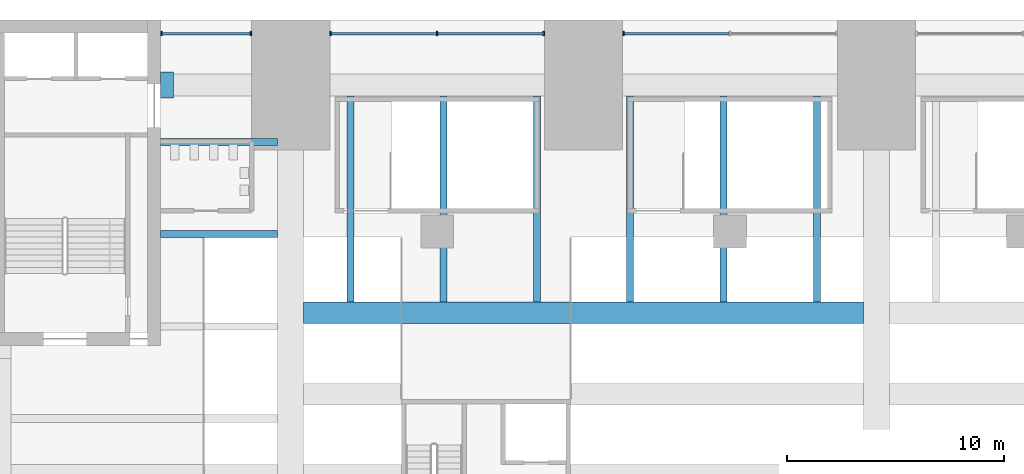
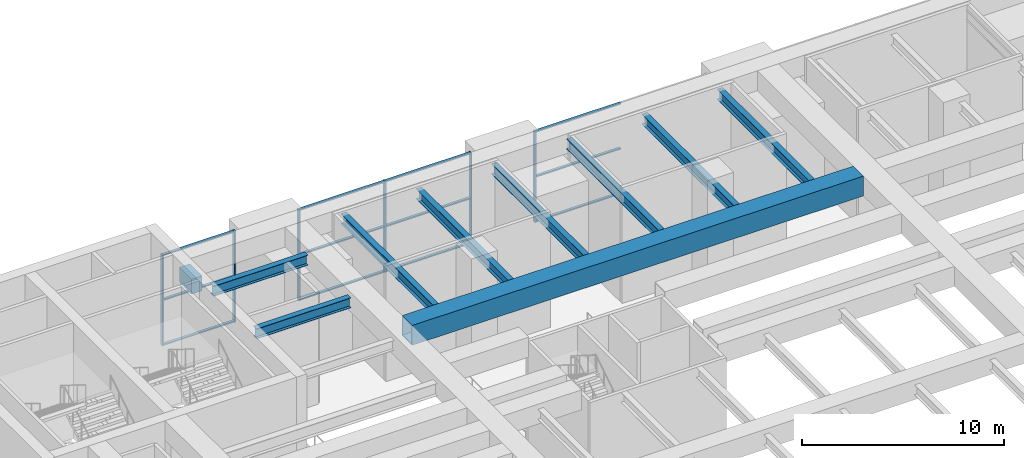
# One storey, part 19 of 45: 20 members, 8 beams, 3 elements without a shape of their own.
"""IFC4 building model written with IfcOpenShell, lengths in metres."""

import ifcopenshell
import ifcopenshell.guid

model = None  # the IFC model being written
_history = None  # IfcOwnerHistory: only IFC2X3 demands one
_inside = {}  # id of a spatial element -> (the spatial element, [elements in it])
_under = {}  # id of a project, library or spatial element -> (it, [spatial elements below it])
_declared = {}  # id of a project -> (the project, [libraries it declares])
_typed = {}  # id of a type object -> (the type object, [elements of that type])
_made_of = {}  # id of a material, layer set ... -> (it, [elements and type objects made of it])


def new_model(schema):
    """Start an empty IFC model of exactly this schema.

    Asked for "IFC4X3", IfcOpenShell would pick the latest addendum, in which some entities
    have other attributes; the version numbers below select the first issue.
    IFC2X3 requires an IfcOwnerHistory on every rooted entity: one is made here for all.
    """
    global model, _history
    if schema == "IFC4X3":
        model = ifcopenshell.file(schema_version=(4, 3, 0, 0))
    else:
        model = ifcopenshell.file(schema=schema)
    _inside.clear()
    _under.clear()
    _declared.clear()
    _typed.clear()
    _made_of.clear()
    _history = None
    if model.schema == "IFC2X3":
        org = make("IfcOrganization", Name="unknown")
        user = make(
            "IfcPersonAndOrganization",
            ThePerson=make("IfcPerson", FamilyName="unknown"),
            TheOrganization=org,
        )
        app = make(
            "IfcApplication",
            ApplicationDeveloper=org,
            Version="unknown",
            ApplicationFullName="unknown",
            ApplicationIdentifier="unknown",
        )
        _history = make(
            "IfcOwnerHistory",
            OwningUser=user,
            OwningApplication=app,
            ChangeAction="ADDED",
            CreationDate=0,
        )
    return model


def make(cls, **values):
    """One entity of the class cls with the attributes given. An attribute that is None is left unset."""
    return model.create_entity(
        cls, **{name: value for name, value in values.items() if value is not None}
    )


def rooted(cls, **values):
    """An entity with a GlobalId (a new one), such as an element, a storey or a relation."""
    return make(cls, GlobalId=ifcopenshell.guid.new(), OwnerHistory=_history, **values)


def si_unit(unit_type, name, prefix=None):
    """IfcSIUnit, for example si_unit("LENGTHUNIT", "METRE", prefix="MILLI")."""
    return make("IfcSIUnit", UnitType=unit_type, Prefix=prefix, Name=name)


def assignment(units):
    """IfcUnitAssignment: the units of a project."""
    return None if units is None else make("IfcUnitAssignment", Units=units)


def point(xyz):
    """IfcCartesianPoint."""
    return None if xyz is None else make("IfcCartesianPoint", Coordinates=xyz)


def direction(xyz):
    """IfcDirection."""
    return None if xyz is None else make("IfcDirection", DirectionRatios=xyz)


def frame(location, z_axis=None, x_axis=None):
    """IfcAxis2Placement3D, a coordinate frame: its origin and axes. An axis left out is left unset."""
    return make(
        "IfcAxis2Placement3D",
        Location=point(location),
        Axis=direction(z_axis),
        RefDirection=direction(x_axis),
    )


def frame_2d(location, x_axis=None):
    """IfcAxis2Placement2D, a coordinate frame in the plane: its origin and x axis."""
    return make(
        "IfcAxis2Placement2D", Location=point(location), RefDirection=direction(x_axis)
    )


def origin():
    """The frame at (0, 0, 0) with its axes left unset."""
    return frame((0.0, 0.0, 0.0))


def origin_2d():
    """The frame at (0, 0) in the plane with its x axis left unset."""
    return frame_2d((0.0, 0.0))


def place(relative_to, where):
    """IfcLocalPlacement: puts the frame where relative to a parent placement (None: the world)."""
    return make(
        "IfcLocalPlacement", PlacementRelTo=relative_to, RelativePlacement=where
    )


def context(
    kind, dimensions, precision=None, world=None, true_north=None, identifier=None
):
    """IfcGeometricRepresentationContext, for example the 3D "Model" context."""
    return make(
        "IfcGeometricRepresentationContext",
        ContextIdentifier=identifier,
        ContextType=kind,
        CoordinateSpaceDimension=dimensions,
        Precision=precision,
        WorldCoordinateSystem=world,
        TrueNorth=true_north,
    )


def subcontext(parent, identifier, kind, view, scale=None):
    """IfcGeometricRepresentationSubContext, for example "Body" below "Model"."""
    return make(
        "IfcGeometricRepresentationSubContext",
        ContextIdentifier=identifier,
        ContextType=kind,
        ParentContext=parent,
        TargetScale=scale,
        TargetView=view,
    )


def project(units=None, contexts=None):
    """IfcProject with its units and contexts."""
    return rooted(
        "IfcProject",
        Name="project",
        RepresentationContexts=contexts,
        UnitsInContext=assignment(units),
    )


def spatial(cls, under=None, at=None, **own):
    """A site, building, storey or space (cls), placed at a placement, below another one or the project."""
    s = rooted(cls, ObjectPlacement=at, **own)
    if under is not None:
        _under.setdefault(under.id(), (under, []))[1].append(s)
    return s


def profile(cls, at=None, kind="AREA", **sizes):
    """A parametric profile (cls). Its sizes go by their IFC names, for example OverallWidth=200.0."""
    return make(cls, ProfileType=kind, Position=at, **sizes)


def rectangle(**sizes):
    """IfcRectangleProfileDef."""
    return profile("IfcRectangleProfileDef", **sizes)


def hollow_rectangle(**sizes):
    """IfcRectangleHollowProfileDef."""
    return profile("IfcRectangleHollowProfileDef", **sizes)


def i_section(**sizes):
    """IfcIShapeProfileDef."""
    return profile("IfcIShapeProfileDef", **sizes)


def extrude(swept, where, along, depth):
    """IfcExtrudedAreaSolid: the profile swept, set in the frame where, extruded along a direction by depth."""
    return make(
        "IfcExtrudedAreaSolid",
        SweptArea=swept,
        Position=where,
        ExtrudedDirection=direction(along),
        Depth=depth,
    )


def shape(context_of_items, identifier, shape_type, items):
    """IfcShapeRepresentation: the items that make up one representation, for example the "Body"."""
    return make(
        "IfcShapeRepresentation",
        ContextOfItems=context_of_items,
        RepresentationIdentifier=identifier,
        RepresentationType=shape_type,
        Items=items,
    )


def material(Name=None, Category=None):
    """IfcMaterial."""
    return make("IfcMaterial", Name=Name, Category=Category)


def layer(
    of_material, thickness, ventilated=None, Name=None, Category=None, Priority=None
):
    """IfcMaterialLayer: one layer of a wall or slab, of a material (None: an air gap)."""
    return make(
        "IfcMaterialLayer",
        Material=of_material,
        LayerThickness=thickness,
        IsVentilated=ventilated,
        Name=Name,
        Category=Category,
        Priority=Priority,
    )


def layer_set(layers, Name=None):
    """IfcMaterialLayerSet."""
    return make("IfcMaterialLayerSet", MaterialLayers=layers, LayerSetName=Name)


def material_profile(
    of_material, cross_section, Name=None, Category=None, Priority=None
):
    """IfcMaterialProfile: a cross section and its material."""
    return make(
        "IfcMaterialProfile",
        Name=Name,
        Material=of_material,
        Profile=cross_section,
        Priority=Priority,
        Category=Category,
    )


def profile_set(profiles, Name=None, composite=None):
    """IfcMaterialProfileSet."""
    return make(
        "IfcMaterialProfileSet",
        Name=Name,
        MaterialProfiles=profiles,
        CompositeProfile=composite,
    )


def made_of(thing, what):
    """Note that an element or type object is made of a material, layer set ...; save() writes the relation."""
    if what is not None:
        _made_of.setdefault(what.id(), (what, []))[1].append(thing)
    return thing


def type_object(cls, material=None, **own):
    """A type object (cls), such as IfcWallType, which elements share."""
    return made_of(rooted(cls, **own), material)


def element(
    cls,
    number,
    at=None,
    inside=None,
    cuts=None,
    type_object=None,
    material=None,
    context=None,
    identifier="Body",
    shape_type=None,
    held_by="IfcProductDefinitionShape",
    body=None,
    shapes=None,
    **own,
):
    """One element of the class cls, such as IfcWall. Its Tag is "e" and its number.

    at: its placement. inside: the storey or other place that contains it. cuts: it is an
    opening in that element (IfcRelVoidsElement). A single representation is given by context,
    identifier, shape_type and body (its items); several are given by shapes. held_by: the class
    of the entity that holds the representations. save() writes the other relations.
    """
    e = rooted(cls, Tag="e%d" % number, ObjectPlacement=at, **own)
    if body is not None:
        shapes = [shape(context, identifier, shape_type, body)]
    if shapes is not None:
        e.Representation = make(held_by, Representations=shapes)
    if inside is not None:
        _inside.setdefault(inside.id(), (inside, []))[1].append(e)
    if cuts is not None:
        rooted(
            "IfcRelVoidsElement", RelatingBuildingElement=cuts, RelatedOpeningElement=e
        )
    if type_object is not None:
        _typed.setdefault(type_object.id(), (type_object, []))[1].append(e)
    return made_of(e, material)


def aggregate(whole, parts):
    """IfcRelAggregates: a whole, such as a stair, and the parts it consists of."""
    return rooted("IfcRelAggregates", RelatingObject=whole, RelatedObjects=parts)


def save(model, path):
    """Write the relations noted so far, then the file.

    IfcRelAggregates (storeys below a building ...), IfcRelContainedInSpatialStructure (elements
    in a storey), IfcRelDefinesByType, IfcRelAssociatesMaterial and IfcRelDeclares: one each for
    every whole, place, type object, material and project.
    """
    for whole, parts in _under.values():
        aggregate(whole, parts)
    for where, things in _inside.values():
        rooted(
            "IfcRelContainedInSpatialStructure",
            RelatedElements=things,
            RelatingStructure=where,
        )
    for kind, things in _typed.values():
        rooted("IfcRelDefinesByType", RelatedObjects=things, RelatingType=kind)
    for what, things in _made_of.values():
        rooted("IfcRelAssociatesMaterial", RelatedObjects=things, RelatingMaterial=what)
    for by, libraries in _declared.values():
        rooted("IfcRelDeclares", RelatingContext=by, RelatedDefinitions=libraries)
    model.write(path)


model = new_model("IFC4")

# Units and contexts
model_context = context("Model", 3, precision=1e-05, world=origin(), true_north=direction((0.0, 1.0)))
body_context = subcontext(model_context, "Body", "Model", "MODEL_VIEW")
ifc_project = project(units=[si_unit("LENGTHUNIT", "METRE"), si_unit("AREAUNIT", "SQUARE_METRE"), si_unit("VOLUMEUNIT", "CUBIC_METRE"), si_unit("PLANEANGLEUNIT", "RADIAN"), si_unit("MASSUNIT", "GRAM", prefix="KILO")], contexts=[model_context])

# Site, building, storey
site_placement = place(None, origin())
site = spatial("IfcSite", under=ifc_project, at=site_placement, CompositionType="ELEMENT")
building_placement = place(site_placement, origin())
building = spatial("IfcBuilding", under=site, at=building_placement, Name="Corbelhall Arena Tower", CompositionType="ELEMENT")
storey_placement = place(building_placement, frame((0.0, 0.0, 37.0)))
storey = spatial("IfcBuildingStorey", under=building, at=storey_placement, Name="L05", CompositionType="ELEMENT", Elevation=37.0)

# Curtain wall, member
ifc_material_1 = material(Name="Aluminium black anodised", Category="aluminium")
ifc_layer = layer(ifc_material_1, 0.239990234375)
ifc_layer_set = layer_set([ifc_layer], Name="EV-CW4 Arena concourse glazing")
curtain_wall_type = type_object("IfcCurtainWallType", Name="EV-CW4 Arena concourse glazing", PredefinedType="NOTDEFINED", material=ifc_layer_set)
curtain_wall_1_placement = place(storey_placement, origin())
curtain_wall_1 = element("IfcCurtainWall", 1, at=curtain_wall_1_placement, inside=storey, type_object=curtain_wall_type, Name="Curtain wall CW4", PredefinedType="NOTDEFINED")
ifc_material_profile_1 = material_profile(ifc_material_1, rectangle(XDim=0.199951171875, YDim=0.074951171875, at=origin_2d()))
ifc_profile_set_1 = profile_set([ifc_material_profile_1], Name="Aluminium black anodised")
member_type_1 = type_object("IfcMemberType", Name="EV-CW4-MULLION", PredefinedType="MULLION", material=ifc_profile_set_1)
member_1_placement = place(storey_placement, frame((-11.66259765625, 38.3798828125, 0.0), z_axis=(0.0, 0.0, 1.0), x_axis=(0.0, -1.0, 0.0)))
member_1 = element("IfcMember", 2, at=member_1_placement, type_object=member_type_1, Name="CW4 mullion 3", PredefinedType="MULLION", context=body_context, shape_type="SweptSolid", body=[
    extrude(rectangle(XDim=0.199951171875, YDim=0.074951171875, at=origin_2d()), origin(), (0.0, 0.0, 1.0), 5.5),
])

# Curtain wall, members
curtain_wall_2_placement = place(storey_placement, origin())
curtain_wall_2 = element("IfcCurtainWall", 3, at=curtain_wall_2_placement, inside=storey, type_object=curtain_wall_type, Name="Curtain wall CW4", PredefinedType="NOTDEFINED")
member_2_placement = place(storey_placement, frame((-15.33740234375, 38.3798828125, 0.0), z_axis=(0.0, 0.0, 1.0), x_axis=(0.0, -1.0, 0.0)))
member_2 = element("IfcMember", 4, at=member_2_placement, type_object=member_type_1, Name="CW4 mullion 1", PredefinedType="MULLION", context=body_context, shape_type="SweptSolid", body=[
    extrude(rectangle(XDim=0.199951171875, YDim=0.074951171875, at=origin_2d()), origin(), (0.0, 0.0, 1.0), 5.5),
])
member_3_placement = place(storey_placement, frame((-20.25, 38.3798828125, 0.0), z_axis=(0.0, 0.0, 1.0), x_axis=(0.0, -1.0, 0.0)))
member_3 = element("IfcMember", 5, at=member_3_placement, type_object=member_type_1, Name="CW4 mullion 2", PredefinedType="MULLION", context=body_context, shape_type="SweptSolid", body=[
    extrude(rectangle(XDim=0.199951171875, YDim=0.074951171875, at=origin_2d()), origin(), (0.0, 0.0, 1.0), 5.5),
])
member_4_placement = place(storey_placement, frame((-25.16259765625, 38.3798828125, 0.0), z_axis=(0.0, 0.0, 1.0), x_axis=(0.0, -1.0, 0.0)))
member_4 = element("IfcMember", 6, at=member_4_placement, type_object=member_type_1, Name="CW4 mullion 3", PredefinedType="MULLION", context=body_context, shape_type="SweptSolid", body=[
    extrude(rectangle(XDim=0.199951171875, YDim=0.074951171875, at=origin_2d()), origin(), (0.0, 0.0, 1.0), 5.5),
])

curtain_wall_3_placement = place(storey_placement, origin())
curtain_wall_3 = element("IfcCurtainWall", 7, at=curtain_wall_3_placement, inside=storey, type_object=curtain_wall_type, Name="Curtain wall CW4A", PredefinedType="NOTDEFINED")
member_5_placement = place(storey_placement, frame((-28.83740234375, 38.3798828125, 0.0), z_axis=(0.0, 0.0, 1.0), x_axis=(0.0, -1.0, 0.0)))
member_5 = element("IfcMember", 8, at=member_5_placement, type_object=member_type_1, Name="CW4A mullion 1", PredefinedType="MULLION", context=body_context, shape_type="SweptSolid", body=[
    extrude(rectangle(XDim=0.199951171875, YDim=0.074951171875, at=origin_2d()), origin(), (0.0, 0.0, 1.0), 5.5),
])
member_6_placement = place(storey_placement, frame((-32.96240234375, 38.3798828125, 0.0), z_axis=(0.0, 0.0, 1.0), x_axis=(0.0, -1.0, 0.0)))
member_6 = element("IfcMember", 9, at=member_6_placement, type_object=member_type_1, Name="CW4A mullion 2", PredefinedType="MULLION", context=body_context, shape_type="SweptSolid", body=[
    extrude(rectangle(XDim=0.199951171875, YDim=0.074951171875, at=origin_2d()), origin(), (0.0, 0.0, 1.0), 5.5),
])

# Member
ifc_material_profile_2 = material_profile(ifc_material_1, rectangle(XDim=0.14990234375, YDim=0.074951171875, at=origin_2d()))
ifc_profile_set_2 = profile_set([ifc_material_profile_2], Name="Aluminium black anodised")
member_type_2 = type_object("IfcMemberType", Name="EV-CW4-TRANSOM", PredefinedType="USERDEFINED", material=ifc_profile_set_2)
member_7_placement = place(storey_placement, frame((-6.78759765625, 38.3798828125, 0.03759765625), z_axis=(-1.0, 0.0, 0.0), x_axis=(0.0, -1.0, 0.0)))
member_7 = element("IfcMember", 10, at=member_7_placement, type_object=member_type_2, Name="CW4 transom 2.1", ObjectType="transom", PredefinedType="USERDEFINED", context=body_context, shape_type="SweptSolid", body=[
    extrude(rectangle(XDim=0.14990234375, YDim=0.074951171875, at=origin_2d()), origin(), (0.0, 0.0, 1.0), 4.83740234375),
])

member_8_placement = place(storey_placement, frame((-6.78759765625, 38.3798828125, 2.75), z_axis=(-1.0, 0.0, 0.0), x_axis=(0.0, -1.0, 0.0)))
member_8 = element("IfcMember", 11, at=member_8_placement, type_object=member_type_2, Name="CW4 transom 2.2", ObjectType="transom", PredefinedType="USERDEFINED", context=body_context, shape_type="SweptSolid", body=[
    extrude(rectangle(XDim=0.14990234375, YDim=0.074951171875, at=origin_2d()), origin(), (0.0, 0.0, 1.0), 4.83740234375),
])

member_9_placement = place(storey_placement, frame((-6.78759765625, 38.3798828125, 5.46240234375), z_axis=(-1.0, 0.0, 0.0), x_axis=(0.0, -1.0, 0.0)))
member_9 = element("IfcMember", 12, at=member_9_placement, type_object=member_type_2, Name="CW4 transom 2.3", ObjectType="transom", PredefinedType="USERDEFINED", context=body_context, shape_type="SweptSolid", body=[
    extrude(rectangle(XDim=0.14990234375, YDim=0.074951171875, at=origin_2d()), origin(), (0.0, 0.0, 1.0), 4.83740234375),
])

aggregate(curtain_wall_1, [member_1, member_7, member_8, member_9])

member_10_placement = place(storey_placement, frame((-15.375, 38.3798828125, 0.03759765625), z_axis=(-1.0, 0.0, 0.0), x_axis=(0.0, -1.0, 0.0)))
member_10 = element("IfcMember", 13, at=member_10_placement, type_object=member_type_2, Name="CW4 transom 1.1", ObjectType="transom", PredefinedType="USERDEFINED", context=body_context, shape_type="SweptSolid", body=[
    extrude(rectangle(XDim=0.14990234375, YDim=0.074951171875, at=origin_2d()), origin(), (0.0, 0.0, 1.0), 4.83740234375),
])

member_11_placement = place(storey_placement, frame((-15.375, 38.3798828125, 2.75), z_axis=(-1.0, 0.0, 0.0), x_axis=(0.0, -1.0, 0.0)))
member_11 = element("IfcMember", 14, at=member_11_placement, type_object=member_type_2, Name="CW4 transom 1.2", ObjectType="transom", PredefinedType="USERDEFINED", context=body_context, shape_type="SweptSolid", body=[
    extrude(rectangle(XDim=0.14990234375, YDim=0.074951171875, at=origin_2d()), origin(), (0.0, 0.0, 1.0), 4.83740234375),
])

member_12_placement = place(storey_placement, frame((-15.375, 38.3798828125, 5.46240234375), z_axis=(-1.0, 0.0, 0.0), x_axis=(0.0, -1.0, 0.0)))
member_12 = element("IfcMember", 15, at=member_12_placement, type_object=member_type_2, Name="CW4 transom 1.3", ObjectType="transom", PredefinedType="USERDEFINED", context=body_context, shape_type="SweptSolid", body=[
    extrude(rectangle(XDim=0.14990234375, YDim=0.074951171875, at=origin_2d()), origin(), (0.0, 0.0, 1.0), 4.83740234375),
])

member_13_placement = place(storey_placement, frame((-20.28759765625, 38.3798828125, 0.03759765625), z_axis=(-1.0, 0.0, 0.0), x_axis=(0.0, -1.0, 0.0)))
member_13 = element("IfcMember", 16, at=member_13_placement, type_object=member_type_2, Name="CW4 transom 2.1", ObjectType="transom", PredefinedType="USERDEFINED", context=body_context, shape_type="SweptSolid", body=[
    extrude(rectangle(XDim=0.14990234375, YDim=0.074951171875, at=origin_2d()), origin(), (0.0, 0.0, 1.0), 4.83740234375),
])

member_14_placement = place(storey_placement, frame((-20.28759765625, 38.3798828125, 2.75), z_axis=(-1.0, 0.0, 0.0), x_axis=(0.0, -1.0, 0.0)))
member_14 = element("IfcMember", 17, at=member_14_placement, type_object=member_type_2, Name="CW4 transom 2.2", ObjectType="transom", PredefinedType="USERDEFINED", context=body_context, shape_type="SweptSolid", body=[
    extrude(rectangle(XDim=0.14990234375, YDim=0.074951171875, at=origin_2d()), origin(), (0.0, 0.0, 1.0), 4.83740234375),
])

member_15_placement = place(storey_placement, frame((-20.28759765625, 38.3798828125, 5.46240234375), z_axis=(-1.0, 0.0, 0.0), x_axis=(0.0, -1.0, 0.0)))
member_15 = element("IfcMember", 18, at=member_15_placement, type_object=member_type_2, Name="CW4 transom 2.3", ObjectType="transom", PredefinedType="USERDEFINED", context=body_context, shape_type="SweptSolid", body=[
    extrude(rectangle(XDim=0.14990234375, YDim=0.074951171875, at=origin_2d()), origin(), (0.0, 0.0, 1.0), 4.83740234375),
])

aggregate(curtain_wall_2, [member_2, member_3, member_4, member_10, member_11, member_12, member_13, member_14, member_15])

member_16_placement = place(storey_placement, frame((-28.875, 38.3798828125, 0.03759765625), z_axis=(-1.0, 0.0, 0.0), x_axis=(0.0, -1.0, 0.0)))
member_16 = element("IfcMember", 19, at=member_16_placement, type_object=member_type_2, Name="CW4A transom 1.1", ObjectType="transom", PredefinedType="USERDEFINED", context=body_context, shape_type="SweptSolid", body=[
    extrude(rectangle(XDim=0.14990234375, YDim=0.074951171875, at=origin_2d()), origin(), (0.0, 0.0, 1.0), 4.050048828125),
])

member_17_placement = place(storey_placement, frame((-28.875, 38.3798828125, 2.75), z_axis=(-1.0, 0.0, 0.0), x_axis=(0.0, -1.0, 0.0)))
member_17 = element("IfcMember", 20, at=member_17_placement, type_object=member_type_2, Name="CW4A transom 1.2", ObjectType="transom", PredefinedType="USERDEFINED", context=body_context, shape_type="SweptSolid", body=[
    extrude(rectangle(XDim=0.14990234375, YDim=0.074951171875, at=origin_2d()), origin(), (0.0, 0.0, 1.0), 4.050048828125),
])

member_18_placement = place(storey_placement, frame((-28.875, 38.3798828125, 5.46240234375), z_axis=(-1.0, 0.0, 0.0), x_axis=(0.0, -1.0, 0.0)))
member_18 = element("IfcMember", 21, at=member_18_placement, type_object=member_type_2, Name="CW4A transom 1.3", ObjectType="transom", PredefinedType="USERDEFINED", context=body_context, shape_type="SweptSolid", body=[
    extrude(rectangle(XDim=0.14990234375, YDim=0.074951171875, at=origin_2d()), origin(), (0.0, 0.0, 1.0), 4.050048828125),
])

aggregate(curtain_wall_3, [member_5, member_6, member_16, member_17, member_18])

# Beams
ifc_material_2 = material(Name="Steel ASTM A992 Gr50", Category="steel")
ifc_material_profile_3 = material_profile(ifc_material_2, i_section(OverallWidth=0.323974609375, OverallDepth=0.611083984375, WebThickness=0.0126953125, FlangeThickness=0.01904296875, at=origin_2d()))
ifc_profile_set_3 = profile_set([ifc_material_profile_3], Name="Steel ASTM A992 Gr50")
beam_type = type_object("IfcBeamType", Name="PO-BEAM-W24X104", PredefinedType="BEAM", material=ifc_profile_set_3)
for number, where, z_axis, x_axis, name in (
    (22, (-33.0, 29.125, 6.39453125), (1.0, 0.0, 0.0), (0.0, 1.0, 0.0), "DECK BEAM BOT 13.3"),
    (23, (-33.0, 33.375, 6.39453125), (1.0, 0.0, 0.0), (0.0, 1.0, 0.0), "DECK BEAM BOT 13.4"),
):
    element("IfcBeam", number, at=place(storey_placement, frame(where, z_axis=z_axis, x_axis=x_axis)), inside=storey, type_object=beam_type, Name=name, PredefinedType="BEAM", context=body_context, shape_type="SweptSolid", body=[
        extrude(i_section(OverallWidth=0.323974609375, OverallDepth=0.611083984375, WebThickness=0.0126953125, FlangeThickness=0.01904296875, at=origin_2d()), origin(), (0.0, 0.0, 1.0), 5.39990234375),
    ])
for number, where, z_axis, x_axis, name in (
    (24, (-24.25, 26.0, 6.39453125), (0.0, 1.0, 0.0), (-1.0, 0.0, 0.0), "DECK BEAM BOT 24.1"),
    (25, (-19.949951171875, 26.0, 6.39453125), (0.0, 1.0, 0.0), (-1.0, 0.0, 0.0), "DECK BEAM BOT 24.2"),
    (26, (-15.64990234375, 26.0, 6.39453125), (0.0, 1.0, 0.0), (-1.0, 0.0, 0.0), "DECK BEAM BOT 24.3"),
    (27, (-11.35009765625, 26.0, 6.39453125), (0.0, 1.0, 0.0), (-1.0, 0.0, 0.0), "DECK BEAM BOT 24.4"),
    (28, (-7.050048828125, 26.0, 6.39453125), (0.0, 1.0, 0.0), (-1.0, 0.0, 0.0), "DECK BEAM BOT 24.5"),
    (29, (-2.75, 26.0, 6.39453125), (0.0, 1.0, 0.0), (-1.0, 0.0, 0.0), "DECK BEAM BOT 24.6"),
):
    element("IfcBeam", number, at=place(storey_placement, frame(where, z_axis=z_axis, x_axis=x_axis)), inside=storey, type_object=beam_type, Name=name, PredefinedType="BEAM", context=body_context, shape_type="SweptSolid", body=[
        extrude(i_section(OverallWidth=0.323974609375, OverallDepth=0.611083984375, WebThickness=0.0126953125, FlangeThickness=0.01904296875, at=origin_2d()), origin(), (0.0, 0.0, 1.0), 9.5),
    ])

# Members
ifc_material_3 = material(Name="Steel ASTM A572 Gr50", Category="steel")
ifc_material_profile_4 = material_profile(ifc_material_3, hollow_rectangle(XDim=1.0, YDim=1.199951171875, WallThickness=0.06005859375, at=origin_2d()))
ifc_profile_set_4 = profile_set([ifc_material_profile_4], Name="Steel ASTM A572 Gr50")
member_type_3 = type_object("IfcMemberType", Name="PO-CHORD-1200X1000X60", PredefinedType="CHORD", material=ifc_profile_set_4)
member_19_placement = place(storey_placement, frame((-26.39990234375, 25.5, 6.39990234375), z_axis=(1.0, 0.0, 0.0), x_axis=(0.0, 1.0, 0.0)))
element("IfcMember", 30, at=member_19_placement, inside=storey, type_object=member_type_3, Name="TRUSS SEC-N25.50-1 BOT CHORD", PredefinedType="CHORD", context=body_context, shape_type="SweptSolid", body=[
    extrude(hollow_rectangle(XDim=1.0, YDim=1.199951171875, WallThickness=0.06005859375, at=origin_2d()), origin(), (0.0, 0.0, 1.0), 25.7998046875),
])
ifc_material_4 = material(Name="Concrete C80/95", Category="concrete")
ifc_material_profile_5 = material_profile(ifc_material_4, rectangle(XDim=1.199951171875, YDim=0.89990234375, at=origin_2d()))
ifc_profile_set_5 = profile_set([ifc_material_profile_5], Name="Concrete C80/95")
member_type_4 = type_object("IfcMemberType", Name="PO-CORBEL", PredefinedType="MEMBER", material=ifc_profile_set_5)
member_20_placement = place(storey_placement, frame((-33.0, 36.0, 5.35009765625), z_axis=(1.0, 0.0, 0.0), x_axis=(0.0, 1.0, 0.0)))
element("IfcMember", 31, at=member_20_placement, inside=storey, type_object=member_type_4, Name="CORBEL NW EDGENS", PredefinedType="MEMBER", context=body_context, shape_type="SweptSolid", body=[
    extrude(rectangle(XDim=1.199951171875, YDim=0.89990234375, at=origin_2d()), origin(), (0.0, 0.0, 1.0), 0.60009765625),
])

save(model, "model.ifc")
